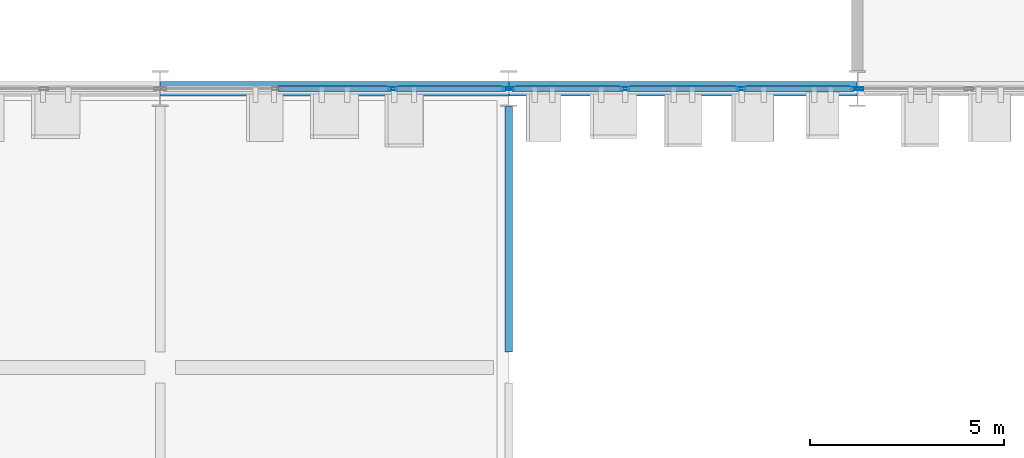
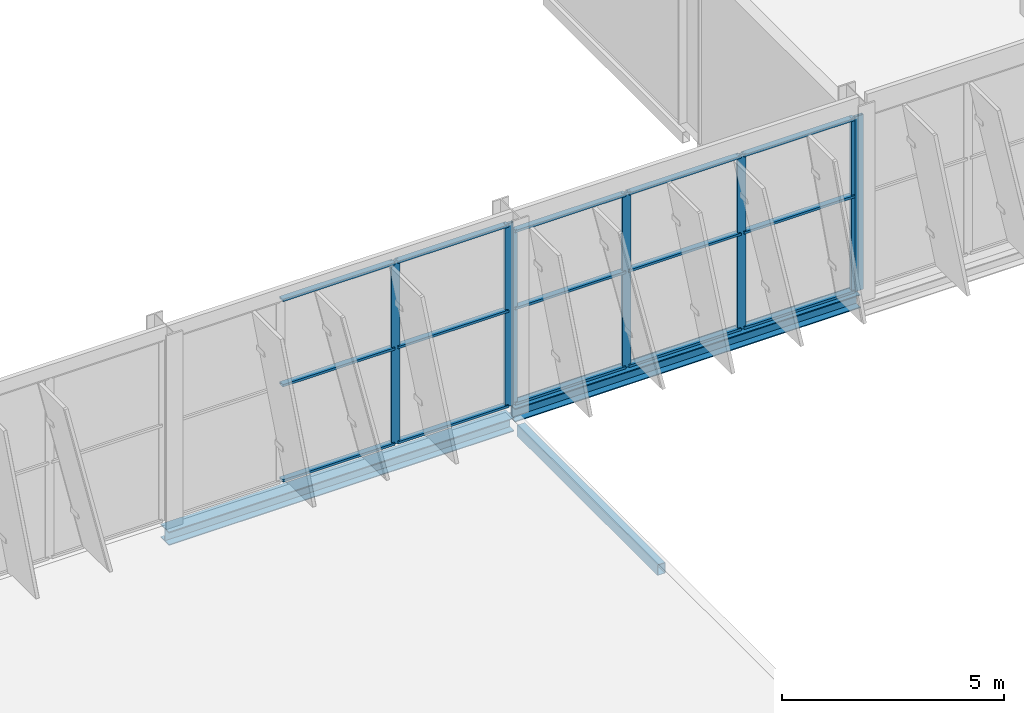
# One storey, part 30 of 189: 22 members, 3 beams, 3 elements without a shape of their own.
"""IFC4 building model written with IfcOpenShell, lengths in metres."""

from ifc_helpers import new_model, si_unit, direction, frame, origin, origin_2d, place, context, subcontext, project, spatial, hollow_rectangle, i_section, extrude, material, layer, layer_set, material_profile, profile_set, type_object, element, aggregate, save


model = new_model("IFC4")

# Units and contexts
model_context = context("Model", 3, precision=1e-05, world=origin(), true_north=direction((0.0, 1.0)))
body_context = subcontext(model_context, "Body", "Model", "MODEL_VIEW")
ifc_project = project(units=[si_unit("LENGTHUNIT", "METRE"), si_unit("AREAUNIT", "SQUARE_METRE"), si_unit("VOLUMEUNIT", "CUBIC_METRE"), si_unit("PLANEANGLEUNIT", "RADIAN"), si_unit("MASSUNIT", "GRAM", prefix="KILO")], contexts=[model_context])

# Site, building, storey
site_placement = place(None, origin())
site = spatial("IfcSite", under=ifc_project, at=site_placement, CompositionType="ELEMENT")
building_placement = place(site_placement, origin())
building = spatial("IfcBuilding", under=site, at=building_placement, Name="Celestram Park Convention Centre", CompositionType="ELEMENT")
storey_placement = place(building_placement, frame((0.0, 0.0, 5.39990234375)))
storey = spatial("IfcBuildingStorey", under=building, at=storey_placement, Name="L01", CompositionType="ELEMENT", Elevation=5.39990234375)

# Curtain wall, member
ifc_material_1 = material(Name="Anodised Aluminium Alloy 6063-T6", Category="aluminium")
ifc_layer_1 = layer(ifc_material_1, 0.179931640625)
ifc_layer_set_1 = layer_set([ifc_layer_1], Name="Anodised Aluminium Alloy 6063-T6")
curtain_wall_type_1 = type_object("IfcCurtainWallType", Name="ARC-CW-862X480", PredefinedType="NOTDEFINED", material=ifc_layer_set_1)
curtain_wall_1_placement = place(storey_placement, origin())
curtain_wall_1 = element("IfcCurtainWall", 1, at=curtain_wall_1_placement, inside=storey, type_object=curtain_wall_type_1, Name="Unitised curtain wall CU-L01-042", PredefinedType="NOTDEFINED")
ifc_material_profile_1 = material_profile(ifc_material_1, hollow_rectangle(XDim=0.074951171875, YDim=0.219970703125, WallThickness=0.00390625, at=origin_2d()), Name="ALU75X220X4")
ifc_profile_set_1 = profile_set([ifc_material_profile_1], Name="Anodised Aluminium Alloy 6063-T6")
member_type_1 = type_object("IfcMemberType", Name="ARC-CWM-180", PredefinedType="MULLION", material=ifc_profile_set_1)
member_1_placement = place(storey_placement, frame((126.047607421875, 21.60009765625, 0.0), z_axis=(0.0, 0.0, 1.0), x_axis=(0.0, -1.0, 0.0)))
member_1 = element("IfcMember", 2, at=member_1_placement, type_object=member_type_1, Name="CW-86X48 mullion 4", PredefinedType="MULLION", context=body_context, shape_type="SweptSolid", body=[
    extrude(hollow_rectangle(XDim=0.074951171875, YDim=0.219970703125, WallThickness=0.00390625, at=origin_2d()), origin(), (0.0, 0.0, 1.0), 4.80419921875),
])
aggregate(curtain_wall_1, [member_1])

# Curtain wall, members
ifc_layer_2 = layer(ifc_material_1, 0.179931640625)
ifc_layer_set_2 = layer_set([ifc_layer_2], Name="Anodised Aluminium Alloy 6063-T6")
curtain_wall_type_2 = type_object("IfcCurtainWallType", Name="ARC-CW-898X480", PredefinedType="NOTDEFINED", material=ifc_layer_set_2)
curtain_wall_2_placement = place(storey_placement, origin())
curtain_wall_2 = element("IfcCurtainWall", 3, at=curtain_wall_2_placement, inside=storey, type_object=curtain_wall_type_2, Name="Unitised curtain wall CU-L01-127", PredefinedType="NOTDEFINED")
member_2_placement = place(storey_placement, frame((125.952392578125, 21.60009765625, 0.0), z_axis=(0.0, 0.0, 1.0), x_axis=(0.0, -1.0, 0.0)))
member_2 = element("IfcMember", 4, at=member_2_placement, type_object=member_type_1, Name="CW-89X48 mullion 1", PredefinedType="MULLION", context=body_context, shape_type="SweptSolid", body=[
    extrude(hollow_rectangle(XDim=0.074951171875, YDim=0.219970703125, WallThickness=0.00390625, at=origin_2d()), origin(), (0.0, 0.0, 1.0), 4.80419921875),
])
member_3_placement = place(storey_placement, frame((122.99658203125, 21.60009765625, 0.0), z_axis=(0.0, 0.0, 1.0), x_axis=(0.0, -1.0, 0.0)))
member_3 = element("IfcMember", 5, at=member_3_placement, type_object=member_type_1, Name="CW-89X48 mullion 2", PredefinedType="MULLION", context=body_context, shape_type="SweptSolid", body=[
    extrude(hollow_rectangle(XDim=0.074951171875, YDim=0.219970703125, WallThickness=0.00390625, at=origin_2d()), origin(), (0.0, 0.0, 1.0), 4.80419921875),
])
member_4_placement = place(storey_placement, frame((120.00341796875, 21.60009765625, 0.0), z_axis=(0.0, 0.0, 1.0), x_axis=(0.0, -1.0, 0.0)))
member_4 = element("IfcMember", 6, at=member_4_placement, type_object=member_type_1, Name="CW-89X48 mullion 3", PredefinedType="MULLION", context=body_context, shape_type="SweptSolid", body=[
    extrude(hollow_rectangle(XDim=0.074951171875, YDim=0.219970703125, WallThickness=0.00390625, at=origin_2d()), origin(), (0.0, 0.0, 1.0), 4.80419921875),
])
member_5_placement = place(storey_placement, frame((117.047607421875, 21.60009765625, 0.0), z_axis=(0.0, 0.0, 1.0), x_axis=(0.0, -1.0, 0.0)))
member_5 = element("IfcMember", 7, at=member_5_placement, type_object=member_type_1, Name="CW-89X48 mullion 4", PredefinedType="MULLION", context=body_context, shape_type="SweptSolid", body=[
    extrude(hollow_rectangle(XDim=0.074951171875, YDim=0.219970703125, WallThickness=0.00390625, at=origin_2d()), origin(), (0.0, 0.0, 1.0), 4.80419921875),
])

ifc_layer_3 = layer(ifc_material_1, 0.179931640625)
ifc_layer_set_3 = layer_set([ifc_layer_3], Name="Anodised Aluminium Alloy 6063-T6")
curtain_wall_type_3 = type_object("IfcCurtainWallType", Name="ARC-CW-898X503", PredefinedType="NOTDEFINED", material=ifc_layer_set_3)
curtain_wall_3_placement = place(storey_placement, origin())
curtain_wall_3 = element("IfcCurtainWall", 8, at=curtain_wall_3_placement, inside=storey, type_object=curtain_wall_type_3, Name="Unitised curtain wall CU-L01-128", PredefinedType="NOTDEFINED")
member_6_placement = place(storey_placement, frame((116.952392578125, 21.60009765625, 0.0), z_axis=(0.0, 0.0, 1.0), x_axis=(0.0, -1.0, 0.0)))
member_6 = element("IfcMember", 9, at=member_6_placement, type_object=member_type_1, Name="CW-89X50 mullion 1", PredefinedType="MULLION", context=body_context, shape_type="SweptSolid", body=[
    extrude(hollow_rectangle(XDim=0.074951171875, YDim=0.219970703125, WallThickness=0.00390625, at=origin_2d()), origin(), (0.0, 0.0, 1.0), 5.027099609375),
])
member_7_placement = place(storey_placement, frame((113.99658203125, 21.60009765625, 0.0), z_axis=(0.0, 0.0, 1.0), x_axis=(0.0, -1.0, 0.0)))
member_7 = element("IfcMember", 10, at=member_7_placement, type_object=member_type_1, Name="CW-89X50 mullion 2", PredefinedType="MULLION", context=body_context, shape_type="SweptSolid", body=[
    extrude(hollow_rectangle(XDim=0.074951171875, YDim=0.219970703125, WallThickness=0.00390625, at=origin_2d()), origin(), (0.0, 0.0, 1.0), 5.027099609375),
])

# Member
ifc_material_profile_2 = material_profile(ifc_material_1, hollow_rectangle(XDim=0.14990234375, YDim=0.06494140625, WallThickness=0.0029296875, at=origin_2d()), Name="ALU150X65X3")
ifc_profile_set_2 = profile_set([ifc_material_profile_2], Name="Anodised Aluminium Alloy 6063-T6")
member_type_2 = type_object("IfcMemberType", Name="ARC-CWT-150", PredefinedType="USERDEFINED", material=ifc_profile_set_2)
member_8_placement = place(storey_placement, frame((125.9150390625, 21.60009765625, 0.03271484375), z_axis=(-1.0, 0.0, 0.0), x_axis=(0.0, -1.0, 0.0)))
member_8 = element("IfcMember", 11, at=member_8_placement, type_object=member_type_2, Name="CW-89X48 transom 1.1", ObjectType="TRANSOM", PredefinedType="USERDEFINED", context=body_context, shape_type="SweptSolid", body=[
    extrude(hollow_rectangle(XDim=0.14990234375, YDim=0.06494140625, WallThickness=0.0029296875, at=origin_2d()), origin(), (0.0, 0.0, 1.0), 2.880859375),
])

member_9_placement = place(storey_placement, frame((125.9150390625, 21.60009765625, 2.650146484375), z_axis=(-1.0, 0.0, 0.0), x_axis=(0.0, -1.0, 0.0)))
member_9 = element("IfcMember", 12, at=member_9_placement, type_object=member_type_2, Name="CW-89X48 transom 1.2", ObjectType="TRANSOM", PredefinedType="USERDEFINED", context=body_context, shape_type="SweptSolid", body=[
    extrude(hollow_rectangle(XDim=0.14990234375, YDim=0.06494140625, WallThickness=0.0029296875, at=origin_2d()), origin(), (0.0, 0.0, 1.0), 2.880859375),
])

member_10_placement = place(storey_placement, frame((125.9150390625, 21.60009765625, 4.771484375), z_axis=(-1.0, 0.0, 0.0), x_axis=(0.0, -1.0, 0.0)))
member_10 = element("IfcMember", 13, at=member_10_placement, type_object=member_type_2, Name="CW-89X48 transom 1.3", ObjectType="TRANSOM", PredefinedType="USERDEFINED", context=body_context, shape_type="SweptSolid", body=[
    extrude(hollow_rectangle(XDim=0.14990234375, YDim=0.06494140625, WallThickness=0.0029296875, at=origin_2d()), origin(), (0.0, 0.0, 1.0), 2.880859375),
])

member_11_placement = place(storey_placement, frame((122.959228515625, 21.60009765625, 0.03271484375), z_axis=(-1.0, 0.0, 0.0), x_axis=(0.0, -1.0, 0.0)))
member_11 = element("IfcMember", 14, at=member_11_placement, type_object=member_type_2, Name="CW-89X48 transom 2.1", ObjectType="TRANSOM", PredefinedType="USERDEFINED", context=body_context, shape_type="SweptSolid", body=[
    extrude(hollow_rectangle(XDim=0.14990234375, YDim=0.06494140625, WallThickness=0.0029296875, at=origin_2d()), origin(), (0.0, 0.0, 1.0), 2.91845703125),
])

member_12_placement = place(storey_placement, frame((122.959228515625, 21.60009765625, 2.650146484375), z_axis=(-1.0, 0.0, 0.0), x_axis=(0.0, -1.0, 0.0)))
member_12 = element("IfcMember", 15, at=member_12_placement, type_object=member_type_2, Name="CW-89X48 transom 2.2", ObjectType="TRANSOM", PredefinedType="USERDEFINED", context=body_context, shape_type="SweptSolid", body=[
    extrude(hollow_rectangle(XDim=0.14990234375, YDim=0.06494140625, WallThickness=0.0029296875, at=origin_2d()), origin(), (0.0, 0.0, 1.0), 2.91845703125),
])

member_13_placement = place(storey_placement, frame((122.959228515625, 21.60009765625, 4.771484375), z_axis=(-1.0, 0.0, 0.0), x_axis=(0.0, -1.0, 0.0)))
member_13 = element("IfcMember", 16, at=member_13_placement, type_object=member_type_2, Name="CW-89X48 transom 2.3", ObjectType="TRANSOM", PredefinedType="USERDEFINED", context=body_context, shape_type="SweptSolid", body=[
    extrude(hollow_rectangle(XDim=0.14990234375, YDim=0.06494140625, WallThickness=0.0029296875, at=origin_2d()), origin(), (0.0, 0.0, 1.0), 2.91845703125),
])

member_14_placement = place(storey_placement, frame((119.9658203125, 21.60009765625, 0.03271484375), z_axis=(-1.0, 0.0, 0.0), x_axis=(0.0, -1.0, 0.0)))
member_14 = element("IfcMember", 17, at=member_14_placement, type_object=member_type_2, Name="CW-89X48 transom 3.1", ObjectType="TRANSOM", PredefinedType="USERDEFINED", context=body_context, shape_type="SweptSolid", body=[
    extrude(hollow_rectangle(XDim=0.14990234375, YDim=0.06494140625, WallThickness=0.0029296875, at=origin_2d()), origin(), (0.0, 0.0, 1.0), 2.880859375),
])

member_15_placement = place(storey_placement, frame((119.9658203125, 21.60009765625, 2.650146484375), z_axis=(-1.0, 0.0, 0.0), x_axis=(0.0, -1.0, 0.0)))
member_15 = element("IfcMember", 18, at=member_15_placement, type_object=member_type_2, Name="CW-89X48 transom 3.2", ObjectType="TRANSOM", PredefinedType="USERDEFINED", context=body_context, shape_type="SweptSolid", body=[
    extrude(hollow_rectangle(XDim=0.14990234375, YDim=0.06494140625, WallThickness=0.0029296875, at=origin_2d()), origin(), (0.0, 0.0, 1.0), 2.880859375),
])

member_16_placement = place(storey_placement, frame((119.9658203125, 21.60009765625, 4.771484375), z_axis=(-1.0, 0.0, 0.0), x_axis=(0.0, -1.0, 0.0)))
member_16 = element("IfcMember", 19, at=member_16_placement, type_object=member_type_2, Name="CW-89X48 transom 3.3", ObjectType="TRANSOM", PredefinedType="USERDEFINED", context=body_context, shape_type="SweptSolid", body=[
    extrude(hollow_rectangle(XDim=0.14990234375, YDim=0.06494140625, WallThickness=0.0029296875, at=origin_2d()), origin(), (0.0, 0.0, 1.0), 2.880859375),
])

aggregate(curtain_wall_2, [member_2, member_3, member_4, member_5, member_8, member_9, member_10, member_11, member_12, member_13, member_14, member_15, member_16])

member_17_placement = place(storey_placement, frame((116.9150390625, 21.60009765625, 0.03271484375), z_axis=(-1.0, 0.0, 0.0), x_axis=(0.0, -1.0, 0.0)))
member_17 = element("IfcMember", 20, at=member_17_placement, type_object=member_type_2, Name="CW-89X50 transom 1.1", ObjectType="TRANSOM", PredefinedType="USERDEFINED", context=body_context, shape_type="SweptSolid", body=[
    extrude(hollow_rectangle(XDim=0.14990234375, YDim=0.06494140625, WallThickness=0.0029296875, at=origin_2d()), origin(), (0.0, 0.0, 1.0), 2.880859375),
])

member_18_placement = place(storey_placement, frame((116.9150390625, 21.60009765625, 2.650146484375), z_axis=(-1.0, 0.0, 0.0), x_axis=(0.0, -1.0, 0.0)))
member_18 = element("IfcMember", 21, at=member_18_placement, type_object=member_type_2, Name="CW-89X50 transom 1.2", ObjectType="TRANSOM", PredefinedType="USERDEFINED", context=body_context, shape_type="SweptSolid", body=[
    extrude(hollow_rectangle(XDim=0.14990234375, YDim=0.06494140625, WallThickness=0.0029296875, at=origin_2d()), origin(), (0.0, 0.0, 1.0), 2.880859375),
])

member_19_placement = place(storey_placement, frame((116.9150390625, 21.60009765625, 4.99462890625), z_axis=(-1.0, 0.0, 0.0), x_axis=(0.0, -1.0, 0.0)))
member_19 = element("IfcMember", 22, at=member_19_placement, type_object=member_type_2, Name="CW-89X50 transom 1.3", ObjectType="TRANSOM", PredefinedType="USERDEFINED", context=body_context, shape_type="SweptSolid", body=[
    extrude(hollow_rectangle(XDim=0.14990234375, YDim=0.06494140625, WallThickness=0.0029296875, at=origin_2d()), origin(), (0.0, 0.0, 1.0), 2.880859375),
])

member_20_placement = place(storey_placement, frame((113.959228515625, 21.60009765625, 0.03271484375), z_axis=(-1.0, 0.0, 0.0), x_axis=(0.0, -1.0, 0.0)))
member_20 = element("IfcMember", 23, at=member_20_placement, type_object=member_type_2, Name="CW-89X50 transom 2.1", ObjectType="TRANSOM", PredefinedType="USERDEFINED", context=body_context, shape_type="SweptSolid", body=[
    extrude(hollow_rectangle(XDim=0.14990234375, YDim=0.06494140625, WallThickness=0.0029296875, at=origin_2d()), origin(), (0.0, 0.0, 1.0), 2.91845703125),
])

member_21_placement = place(storey_placement, frame((113.959228515625, 21.60009765625, 2.650146484375), z_axis=(-1.0, 0.0, 0.0), x_axis=(0.0, -1.0, 0.0)))
member_21 = element("IfcMember", 24, at=member_21_placement, type_object=member_type_2, Name="CW-89X50 transom 2.2", ObjectType="TRANSOM", PredefinedType="USERDEFINED", context=body_context, shape_type="SweptSolid", body=[
    extrude(hollow_rectangle(XDim=0.14990234375, YDim=0.06494140625, WallThickness=0.0029296875, at=origin_2d()), origin(), (0.0, 0.0, 1.0), 2.91845703125),
])

member_22_placement = place(storey_placement, frame((113.959228515625, 21.60009765625, 4.99462890625), z_axis=(-1.0, 0.0, 0.0), x_axis=(0.0, -1.0, 0.0)))
member_22 = element("IfcMember", 25, at=member_22_placement, type_object=member_type_2, Name="CW-89X50 transom 2.3", ObjectType="TRANSOM", PredefinedType="USERDEFINED", context=body_context, shape_type="SweptSolid", body=[
    extrude(hollow_rectangle(XDim=0.14990234375, YDim=0.06494140625, WallThickness=0.0029296875, at=origin_2d()), origin(), (0.0, 0.0, 1.0), 2.91845703125),
])

aggregate(curtain_wall_3, [member_6, member_7, member_17, member_18, member_19, member_20, member_21, member_22])

# Beams
ifc_material_2 = material(Name="Steel ASTM A500 Grade C", Category="steel")
ifc_material_profile_3 = material_profile(ifc_material_2, hollow_rectangle(XDim=0.199951171875, YDim=0.300048828125, WallThickness=0.011962890625, at=origin_2d()), Name="HSS300X200X12")
ifc_profile_set_3 = profile_set([ifc_material_profile_3], Name="Steel ASTM A500 Grade C")
beam_type_1 = type_object("IfcBeamType", Name="STR-SPN-HSS300X200", PredefinedType="SPANDREL", material=ifc_profile_set_3)
beam_placement = place(storey_placement, frame((117.0, 14.798095703125, -0.389892578125), z_axis=(0.0, 1.0, 0.0), x_axis=(-1.0, 0.0, 0.0)))
element("IfcBeam", 26, at=beam_placement, inside=storey, type_object=beam_type_1, Name="Primary Y-girder BG-L01-0231", PredefinedType="SPANDREL", context=body_context, shape_type="SweptSolid", body=[
    extrude(hollow_rectangle(XDim=0.199951171875, YDim=0.300048828125, WallThickness=0.011962890625, at=origin_2d()), origin(), (0.0, 0.0, 1.0), 6.337890625),
])
ifc_material_3 = material(Name="Steel ASTM A992 Grade 50", Category="steel")
ifc_material_profile_4 = material_profile(ifc_material_3, i_section(OverallWidth=0.373046875, OverallDepth=0.373046875, WebThickness=0.016357421875, FlangeThickness=0.026123046875, at=origin_2d()), Name="W14X132")
ifc_profile_set_4 = profile_set([ifc_material_profile_4], Name="Steel ASTM A992 Grade 50")
beam_type_2 = type_object("IfcBeamType", Name="STR-SPN-W14X132", PredefinedType="SPANDREL", material=ifc_profile_set_4)
for number, where, z_axis, x_axis, name in (
    (27, (108.010009765625, 21.60009765625, -0.426513671875), (1.0, 0.0, 0.0), (0.0, 1.0, 0.0), "Primary X-girder BG-L01-0214"),
    (28, (117.010009765625, 21.60009765625, -0.1865234375), (1.0, 0.0, 0.0), (0.0, 1.0, 0.0), "High-bay perimeter spandrel SPB-L01-017"),
):
    element("IfcBeam", number, at=place(storey_placement, frame(where, z_axis=z_axis, x_axis=x_axis)), inside=storey, type_object=beam_type_2, Name=name, PredefinedType="SPANDREL", context=body_context, shape_type="SweptSolid", body=[
        extrude(i_section(OverallWidth=0.373046875, OverallDepth=0.373046875, WebThickness=0.016357421875, FlangeThickness=0.026123046875, at=origin_2d()), origin(), (0.0, 0.0, 1.0), 8.97998046875),
    ])

save(model, "model.ifc")
